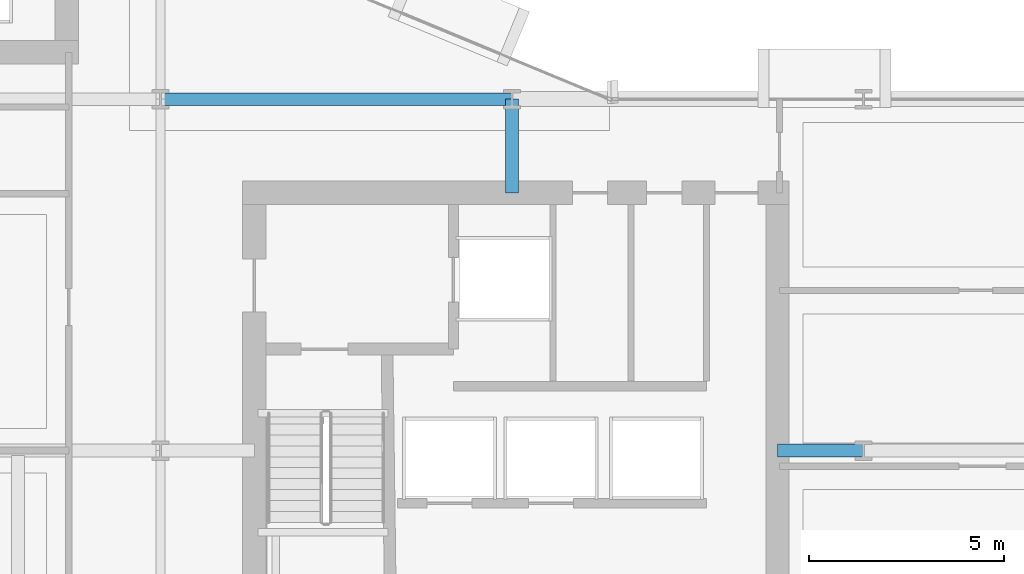
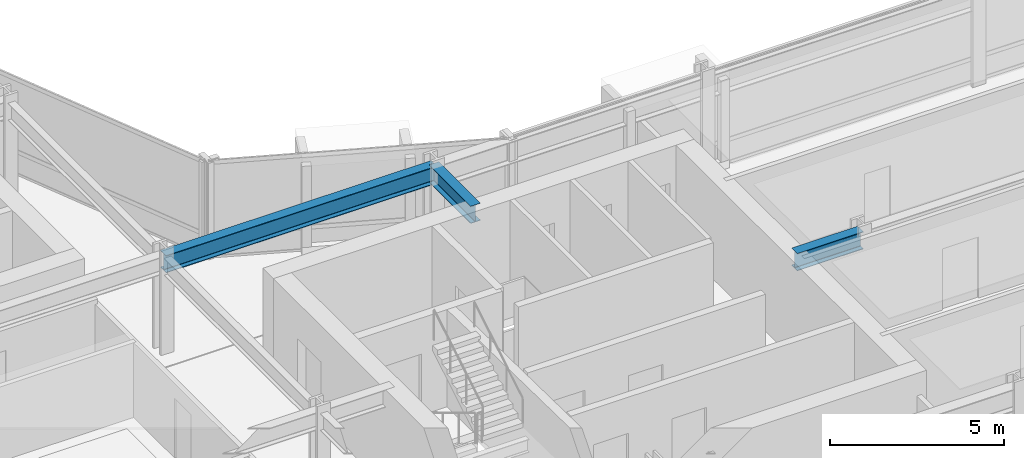
# One storey, part 14 of 34: 3 beams.
"""IFC4 building model written with IfcOpenShell, lengths in metres."""

from ifc_helpers import new_model, si_unit, direction, frame, origin, origin_2d, place, context, subcontext, project, spatial, i_section, extrude, material, material_profile, profile_set, type_object, element, save


model = new_model("IFC4")

# Units and contexts
model_context = context("Model", 3, precision=1e-05, world=origin(), true_north=direction((0.0, 1.0)))
body_context = subcontext(model_context, "Body", "Model", "MODEL_VIEW")
ifc_project = project(units=[si_unit("LENGTHUNIT", "METRE"), si_unit("AREAUNIT", "SQUARE_METRE"), si_unit("VOLUMEUNIT", "CUBIC_METRE"), si_unit("PLANEANGLEUNIT", "RADIAN"), si_unit("MASSUNIT", "GRAM", prefix="KILO")], contexts=[model_context])

# Site, building, storey
site_placement = place(None, origin())
site = spatial("IfcSite", under=ifc_project, at=site_placement, CompositionType="ELEMENT")
building_placement = place(site_placement, origin())
building = spatial("IfcBuilding", under=site, at=building_placement, Name="Solvaryn Broadcast Tower", CompositionType="ELEMENT")
storey_placement = place(building_placement, frame((0.0, 0.0, 47.10009765625)))
storey = spatial("IfcBuildingStorey", under=building, at=storey_placement, Name="L10", CompositionType="ELEMENT", Elevation=47.10009765625)

# Beams
ifc_material = material(Name="Steel ASTM A992 Grade 50", Category="steel")
ifc_material_profile = material_profile(ifc_material, i_section(OverallWidth=0.323974609375, OverallDepth=0.611083984375, WebThickness=0.0126953125, FlangeThickness=0.01904296875, FilletRadius=0.014892578125, at=origin_2d()))
ifc_profile_set = profile_set([ifc_material_profile], Name="Steel ASTM A992 Grade 50")
beam_type = type_object("IfcBeamType", Name="BM-B1-W24X104", PredefinedType="BEAM", material=ifc_profile_set)
beam_1_placement = place(storey_placement, frame((27.0, 27.0, 3.114501953125), z_axis=(1.0, 0.0, 0.0), x_axis=(0.0, 1.0, 0.0)))
element("IfcBeam", 1, at=beam_1_placement, inside=storey, type_object=beam_type, Name="L10 Primary Beam X (27-36 @ Y=27)", PredefinedType="BEAM", context=body_context, shape_type="SweptSolid", body=[
    extrude(i_section(OverallWidth=0.323974609375, OverallDepth=0.611083984375, WebThickness=0.0126953125, FlangeThickness=0.01904296875, FilletRadius=0.014892578125, at=origin_2d()), origin(), (0.0, 0.0, 1.0), 9.0),
])
beam_2_placement = place(storey_placement, frame((36.0, 24.60009765625, 3.114501953125), z_axis=(0.0, 1.0, 0.0), x_axis=(-1.0, 0.0, 0.0)))
element("IfcBeam", 2, at=beam_2_placement, inside=storey, type_object=beam_type, Name="L10 Core Tie Beam CTE2", PredefinedType="BEAM", context=body_context, shape_type="SweptSolid", body=[
    extrude(i_section(OverallWidth=0.323974609375, OverallDepth=0.611083984375, WebThickness=0.0126953125, FlangeThickness=0.01904296875, FilletRadius=0.014892578125, at=origin_2d()), origin(), (0.0, 0.0, 1.0), 2.39990234375),
])
beam_3_placement = place(storey_placement, frame((42.800048828125, 18.0, 3.114501953125), z_axis=(1.0, 0.0, 0.0), x_axis=(0.0, 1.0, 0.0)))
element("IfcBeam", 3, at=beam_3_placement, inside=storey, type_object=beam_type, Name="L10 Core Tie Beam CTE3", PredefinedType="BEAM", context=body_context, shape_type="SweptSolid", body=[
    extrude(i_section(OverallWidth=0.323974609375, OverallDepth=0.611083984375, WebThickness=0.0126953125, FlangeThickness=0.01904296875, FilletRadius=0.014892578125, at=origin_2d()), origin(), (0.0, 0.0, 1.0), 2.199951171875),
])

save(model, "model.ifc")
